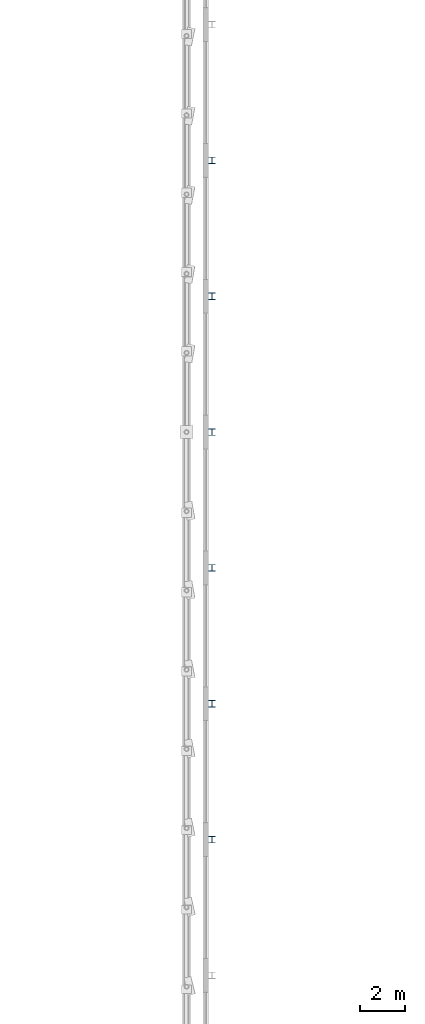
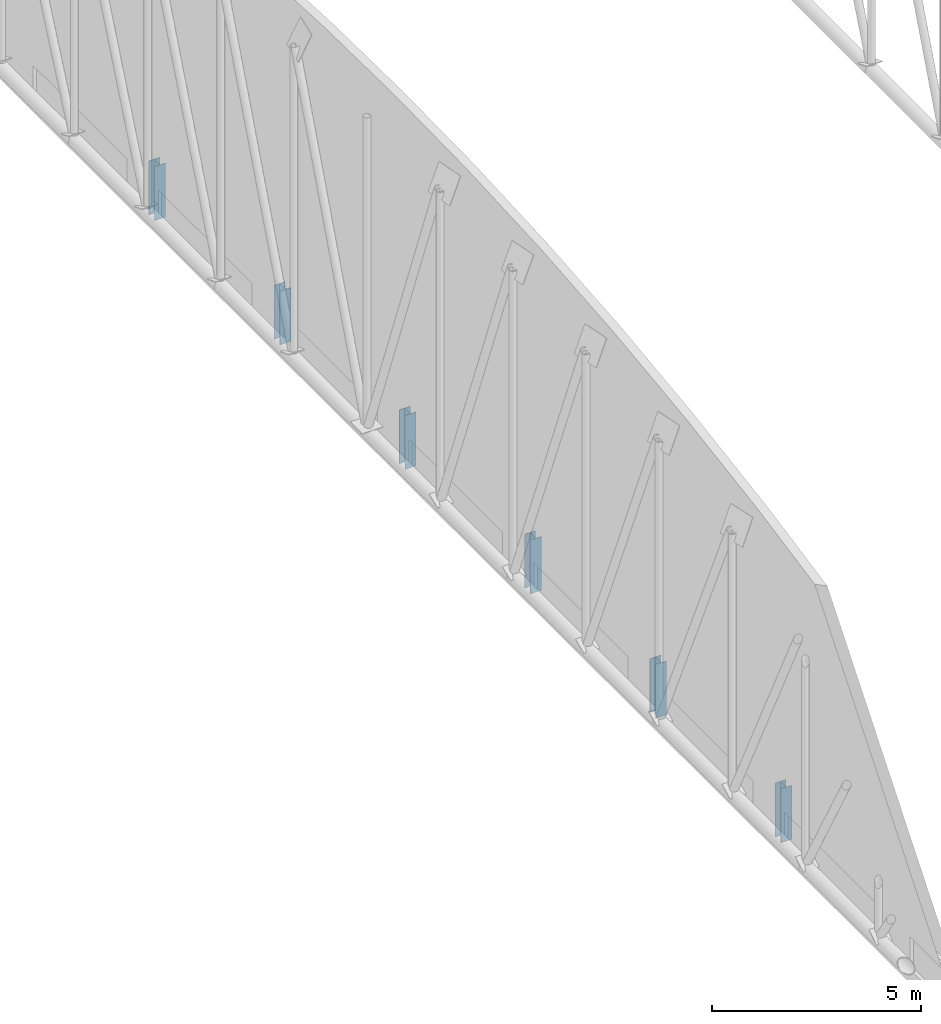
# One storey, part 17 of 196: 6 columns.
"""IFC4 building model written with IfcOpenShell, lengths in metres."""

from ifc_helpers import new_model, si_unit, direction, frame, origin, origin_2d, place, context, subcontext, project, spatial, i_section, extrude, material, material_profile, profile_set, type_object, element, save


model = new_model("IFC4")

# Units and contexts
model_context = context("Model", 3, precision=1e-05, world=origin(), true_north=direction((0.0, 1.0)))
body_context = subcontext(model_context, "Body", "Model", "MODEL_VIEW")
ifc_project = project(units=[si_unit("LENGTHUNIT", "METRE"), si_unit("AREAUNIT", "SQUARE_METRE"), si_unit("VOLUMEUNIT", "CUBIC_METRE"), si_unit("PLANEANGLEUNIT", "RADIAN"), si_unit("MASSUNIT", "GRAM", prefix="KILO")], contexts=[model_context])

# Site, building, storey
site_placement = place(None, origin())
site = spatial("IfcSite", under=ifc_project, at=site_placement, CompositionType="ELEMENT")
building_placement = place(site_placement, origin())
building = spatial("IfcBuilding", under=site, at=building_placement, Name="Okhra Congress Centre", CompositionType="ELEMENT")
storey_placement = place(building_placement, frame((0.0, 0.0, 12.0)))
storey = spatial("IfcBuildingStorey", under=building, at=storey_placement, Name="L02", CompositionType="ELEMENT", Elevation=12.0)

# Columns
ifc_material = material(Name="Steel S355J2", Category="steel")
ifc_material_profile = material_profile(ifc_material, i_section(OverallWidth=0.300048828125, OverallDepth=0.2900390625, WebThickness=0.008544921875, FlangeThickness=0.013916015625, at=origin_2d()), Name="HE 300 A")
ifc_profile_set = profile_set([ifc_material_profile], Name="Steel S355J2")
column_type = type_object("IfcColumnType", Name="HE 300 A", PredefinedType="COLUMN", material=ifc_profile_set)
for number, where, z_axis, x_axis, name in (
    (1, (29.125, 156.0, 0.0), (0.0, 0.0, 1.0), (1.0, 0.0, 0.0), "EH.COL.L02.WP21"),
    (2, (29.125, 162.0, 0.0), (0.0, 0.0, 1.0), (1.0, 0.0, 0.0), "EH.COL.L02.WP23"),
    (3, (29.125, 168.0, 0.0), (0.0, 0.0, 1.0), (1.0, 0.0, 0.0), "EH.COL.L02.WP25"),
    (4, (29.125, 174.0, 0.0), (0.0, 0.0, 1.0), (1.0, 0.0, 0.0), "EH.COL.L02.WP27"),
    (5, (29.125, 180.0, 0.0), (0.0, 0.0, 1.0), (1.0, 0.0, 0.0), "EH.COL.L02.WP29"),
    (6, (29.125, 186.0, 0.0), (0.0, 0.0, 1.0), (1.0, 0.0, 0.0), "EH.COL.L02.WP31"),
):
    element("IfcColumn", number, at=place(storey_placement, frame(where, z_axis=z_axis, x_axis=x_axis)), inside=storey, type_object=column_type, Name=name, PredefinedType="COLUMN", context=body_context, shape_type="SweptSolid", body=[
        extrude(i_section(OverallWidth=0.300048828125, OverallDepth=0.2900390625, WebThickness=0.008544921875, FlangeThickness=0.013916015625, at=origin_2d()), origin(), (0.0, 0.0, 1.0), 1.57666015625),
    ])

save(model, "model.ifc")
